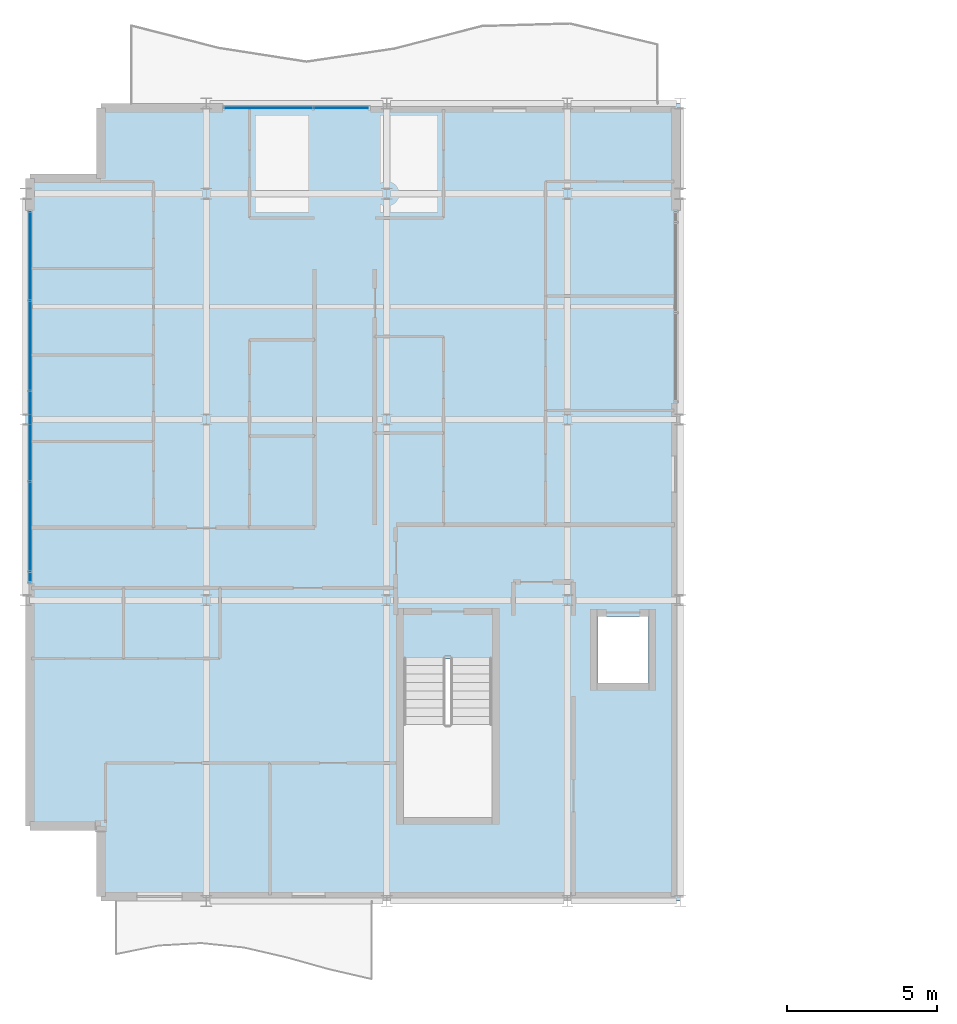
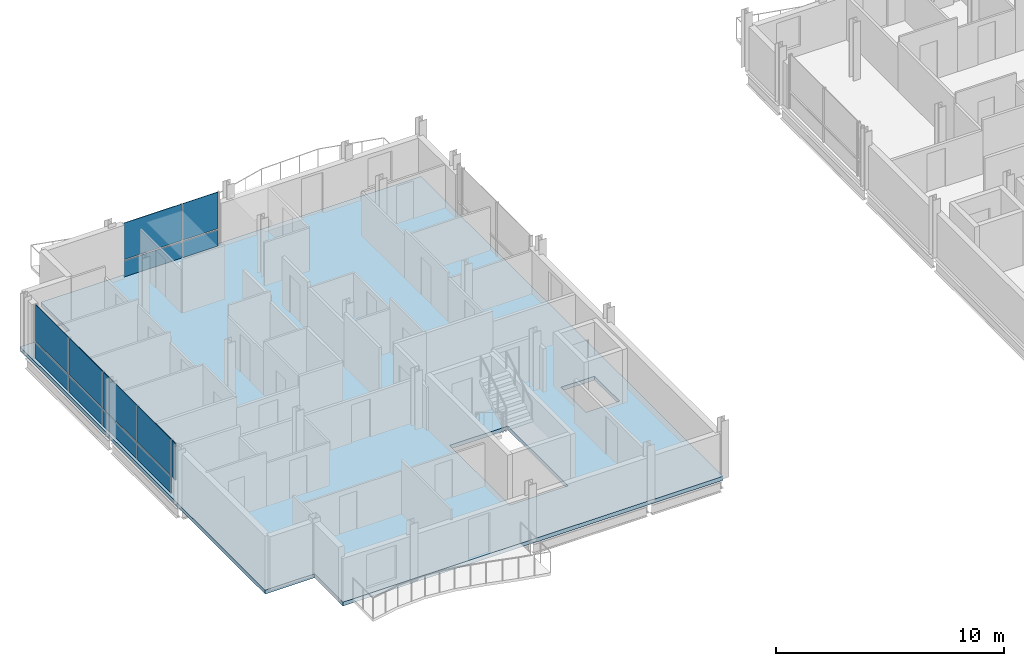
# One storey, part 17 of 29: 13 plates, 1 slab, 2 elements without a shape of their own.
"""IFC4 building model written with IfcOpenShell, lengths in metres."""

from ifc_helpers import new_model, si_unit, direction, frame, origin, origin_2d, place, context, subcontext, project, spatial, polyline, rectangle, outline, extrude, material, layer, layer_set, type_object, element, aggregate, save


model = new_model("IFC4")

# Units and contexts
model_context = context("Model", 3, precision=1e-05, world=origin(), true_north=direction((0.0, 1.0)))
body_context = subcontext(model_context, "Body", "Model", "MODEL_VIEW")
ifc_project = project(units=[si_unit("LENGTHUNIT", "METRE"), si_unit("AREAUNIT", "SQUARE_METRE"), si_unit("VOLUMEUNIT", "CUBIC_METRE"), si_unit("PLANEANGLEUNIT", "RADIAN"), si_unit("MASSUNIT", "GRAM", prefix="KILO")], contexts=[model_context])

# Site, building, storey
site_placement = place(None, origin())
site = spatial("IfcSite", under=ifc_project, at=site_placement, CompositionType="ELEMENT")
building_placement = place(site_placement, origin())
building = spatial("IfcBuilding", under=site, at=building_placement, Name="Brevholm Reach", CompositionType="ELEMENT")
storey_placement = place(building_placement, frame((0.0, 0.0, 208.0)))
storey = spatial("IfcBuildingStorey", under=building, at=storey_placement, Name="L63", CompositionType="ELEMENT", Elevation=208.0)

# Curtain wall, plates
ifc_material_1 = material(Name="Dark Anodised Aluminium 6063-T6 and Solar-Control Glass", Category="aluminium")
ifc_layer_1 = layer(ifc_material_1, 0.14990234375)
ifc_layer_set_1 = layer_set([ifc_layer_1], Name="Dark Anodised Aluminium 6063-T6 and Solar-Control Glass")
curtain_wall_type = type_object("IfcCurtainWallType", Name="CW-01", PredefinedType="NOTDEFINED", material=ifc_layer_set_1)
curtain_wall_1_placement = place(storey_placement, origin())
curtain_wall_1 = element("IfcCurtainWall", 1, at=curtain_wall_1_placement, inside=storey, type_object=curtain_wall_type, Name="L63 Curtain Wall CW-01", PredefinedType="NOTDEFINED")
ifc_material_2 = material(Name="Dark Solar-Control Double-Glazed IGU Glass", Category="glass")
ifc_layer_2 = layer(ifc_material_2, 0.028076171875)
ifc_layer_set_2 = layer_set([ifc_layer_2], Name="Dark Solar-Control Double-Glazed IGU Glass")
plate_type = type_object("IfcPlateType", Name="CWP-GLZ-28", PredefinedType="CURTAIN_PANEL", material=ifc_layer_set_2)
plate_1_placement = place(storey_placement, frame((0.14990234375, 21.433837890625, 0.0), z_axis=(0.0, 0.0, 1.0), x_axis=(0.0, -1.0, 0.0)))
plate_1 = element("IfcPlate", 2, at=plate_1_placement, type_object=plate_type, Name="CP-01 Glazing Panel 1.1", PredefinedType="CURTAIN_PANEL", context=body_context, shape_type="SweptSolid", body=[
    extrude(rectangle(XDim=2.902587890625, YDim=0.028076171875, at=origin_2d()), origin(), (0.0, 0.0, 1.0), 0.867431640625),
])
plate_2_placement = place(storey_placement, frame((0.14990234375, 21.433837890625, 0.932373046875), z_axis=(0.0, 0.0, 1.0), x_axis=(0.0, -1.0, 0.0)))
plate_2 = element("IfcPlate", 3, at=plate_2_placement, type_object=plate_type, Name="CP-01 Glazing Panel 1.2", PredefinedType="CURTAIN_PANEL", context=body_context, shape_type="SweptSolid", body=[
    extrude(rectangle(XDim=2.902587890625, YDim=0.028076171875, at=origin_2d()), origin(), (0.0, 0.0, 1.0), 1.95751953125),
])
plate_3_placement = place(storey_placement, frame((0.14990234375, 18.449951171875, 0.0), z_axis=(0.0, 0.0, 1.0), x_axis=(0.0, -1.0, 0.0)))
plate_3 = element("IfcPlate", 4, at=plate_3_placement, type_object=plate_type, Name="CP-01 Glazing Panel 2.1", PredefinedType="CURTAIN_PANEL", context=body_context, shape_type="SweptSolid", body=[
    extrude(rectangle(XDim=2.93505859375, YDim=0.028076171875, at=origin_2d()), origin(), (0.0, 0.0, 1.0), 0.867431640625),
])
plate_4_placement = place(storey_placement, frame((0.14990234375, 18.449951171875, 0.932373046875), z_axis=(0.0, 0.0, 1.0), x_axis=(0.0, -1.0, 0.0)))
plate_4 = element("IfcPlate", 5, at=plate_4_placement, type_object=plate_type, Name="CP-01 Glazing Panel 2.2", PredefinedType="CURTAIN_PANEL", context=body_context, shape_type="SweptSolid", body=[
    extrude(rectangle(XDim=2.93505859375, YDim=0.028076171875, at=origin_2d()), origin(), (0.0, 0.0, 1.0), 1.95751953125),
])
plate_5_placement = place(storey_placement, frame((0.14990234375, 15.449951171875, 0.0), z_axis=(0.0, 0.0, 1.0), x_axis=(0.0, -1.0, 0.0)))
plate_5 = element("IfcPlate", 6, at=plate_5_placement, type_object=plate_type, Name="CP-01 Glazing Panel 3.1", PredefinedType="CURTAIN_PANEL", context=body_context, shape_type="SweptSolid", body=[
    extrude(rectangle(XDim=2.93505859375, YDim=0.028076171875, at=origin_2d()), origin(), (0.0, 0.0, 1.0), 0.867431640625),
])
plate_6_placement = place(storey_placement, frame((0.14990234375, 15.449951171875, 0.932373046875), z_axis=(0.0, 0.0, 1.0), x_axis=(0.0, -1.0, 0.0)))
plate_6 = element("IfcPlate", 7, at=plate_6_placement, type_object=plate_type, Name="CP-01 Glazing Panel 3.2", PredefinedType="CURTAIN_PANEL", context=body_context, shape_type="SweptSolid", body=[
    extrude(rectangle(XDim=2.93505859375, YDim=0.028076171875, at=origin_2d()), origin(), (0.0, 0.0, 1.0), 1.95751953125),
])
plate_7_placement = place(storey_placement, frame((0.14990234375, 12.449951171875, 0.0), z_axis=(0.0, 0.0, 1.0), x_axis=(0.0, -1.0, 0.0)))
plate_7 = element("IfcPlate", 8, at=plate_7_placement, type_object=plate_type, Name="CP-01 Glazing Panel 4.1", PredefinedType="CURTAIN_PANEL", context=body_context, shape_type="SweptSolid", body=[
    extrude(rectangle(XDim=2.93505859375, YDim=0.028076171875, at=origin_2d()), origin(), (0.0, 0.0, 1.0), 0.867431640625),
])
plate_8_placement = place(storey_placement, frame((0.14990234375, 12.449951171875, 0.932373046875), z_axis=(0.0, 0.0, 1.0), x_axis=(0.0, -1.0, 0.0)))
plate_8 = element("IfcPlate", 9, at=plate_8_placement, type_object=plate_type, Name="CP-01 Glazing Panel 4.2", PredefinedType="CURTAIN_PANEL", context=body_context, shape_type="SweptSolid", body=[
    extrude(rectangle(XDim=2.93505859375, YDim=0.028076171875, at=origin_2d()), origin(), (0.0, 0.0, 1.0), 1.95751953125),
])
plate_9_placement = place(storey_placement, frame((0.14990234375, 10.766357421875, 0.932373046875), z_axis=(0.0, 0.0, 1.0), x_axis=(0.0, -1.0, 0.0)))
plate_9 = element("IfcPlate", 10, at=plate_9_placement, type_object=plate_type, Name="CP-01 Glazing Panel 5.2", PredefinedType="CURTAIN_PANEL", context=body_context, shape_type="SweptSolid", body=[
    extrude(rectangle(XDim=0.302490234375, YDim=0.028076171875, at=origin_2d()), origin(), (0.0, 0.0, 1.0), 1.95751953125),
])
aggregate(curtain_wall_1, [plate_1, plate_2, plate_3, plate_4, plate_5, plate_6, plate_7, plate_8, plate_9])

curtain_wall_2_placement = place(storey_placement, origin())
curtain_wall_2 = element("IfcCurtainWall", 11, at=curtain_wall_2_placement, inside=storey, type_object=curtain_wall_type, Name="L63 Curtain Wall CW-01", PredefinedType="NOTDEFINED")
plate_10_placement = place(storey_placement, frame((8.066162109375, 26.35009765625, 0.0), z_axis=(0.0, 0.0, 1.0), x_axis=(1.0, 0.0, 0.0)))
plate_10 = element("IfcPlate", 12, at=plate_10_placement, type_object=plate_type, Name="CP-01 Glazing Panel 1.1", PredefinedType="CURTAIN_PANEL", context=body_context, shape_type="SweptSolid", body=[
    extrude(rectangle(XDim=2.902587890625, YDim=0.028076171875, at=origin_2d()), origin(), (0.0, 0.0, 1.0), 0.867431640625),
])
plate_11_placement = place(storey_placement, frame((8.066162109375, 26.35009765625, 0.932373046875), z_axis=(0.0, 0.0, 1.0), x_axis=(1.0, 0.0, 0.0)))
plate_11 = element("IfcPlate", 13, at=plate_11_placement, type_object=plate_type, Name="CP-01 Glazing Panel 1.2", PredefinedType="CURTAIN_PANEL", context=body_context, shape_type="SweptSolid", body=[
    extrude(rectangle(XDim=2.902587890625, YDim=0.028076171875, at=origin_2d()), origin(), (0.0, 0.0, 1.0), 1.95751953125),
])
plate_12_placement = place(storey_placement, frame((10.483642578125, 26.35009765625, 0.0), z_axis=(0.0, 0.0, 1.0), x_axis=(1.0, 0.0, 0.0)))
plate_12 = element("IfcPlate", 14, at=plate_12_placement, type_object=plate_type, Name="CP-01 Glazing Panel 2.1", PredefinedType="CURTAIN_PANEL", context=body_context, shape_type="SweptSolid", body=[
    extrude(rectangle(XDim=1.802490234375, YDim=0.028076171875, at=origin_2d()), origin(), (0.0, 0.0, 1.0), 0.867431640625),
])
plate_13_placement = place(storey_placement, frame((10.483642578125, 26.35009765625, 0.932373046875), z_axis=(0.0, 0.0, 1.0), x_axis=(1.0, 0.0, 0.0)))
plate_13 = element("IfcPlate", 15, at=plate_13_placement, type_object=plate_type, Name="CP-01 Glazing Panel 2.2", PredefinedType="CURTAIN_PANEL", context=body_context, shape_type="SweptSolid", body=[
    extrude(rectangle(XDim=1.802490234375, YDim=0.028076171875, at=origin_2d()), origin(), (0.0, 0.0, 1.0), 1.95751953125),
])
aggregate(curtain_wall_2, [plate_10, plate_11, plate_12, plate_13])

# Slab
ifc_material_3 = material(Name="Concrete C40/50", Category="concrete")
ifc_layer_3 = layer(ifc_material_3, 0.2099609375)
ifc_layer_set_3 = layer_set([ifc_layer_3], Name="Concrete C40/50")
slab_type = type_object("IfcSlabType", Name="SLB-FL-210", PredefinedType="FLOOR", material=ifc_layer_set_3)
slab_placement = place(storey_placement, frame((0.0, 0.0, -0.2099609375)))
element("IfcSlab", 16, at=slab_placement, inside=storey, type_object=slab_type, Name="L63 Suspended Floor Slab (west-wing)", PredefinedType="FLOOR", context=body_context, shape_type="SweptSolid", body=[
    extrude(outline(polyline([(2.5, 0.0), (21.75, 0.0), (21.75, 26.5), (2.5, 26.5), (2.5, 24.0), (0.0, 24.0), (0.0, 2.5), (2.5, 2.5), (2.5, 0.0)]), holes=[polyline([(12.550048828125, 2.780029296875), (15.5, 2.780029296875), (15.5, 8.044921875), (12.550048828125, 8.044921875), (12.550048828125, 2.780029296875)]), polyline([(19.0, 7.25), (20.699951171875, 7.25), (20.699951171875, 9.449951171875), (19.0, 9.449951171875), (19.0, 7.25)])]), origin(), (0.0, 0.0, 1.0), 0.2099609375),
])

save(model, "model.ifc")
